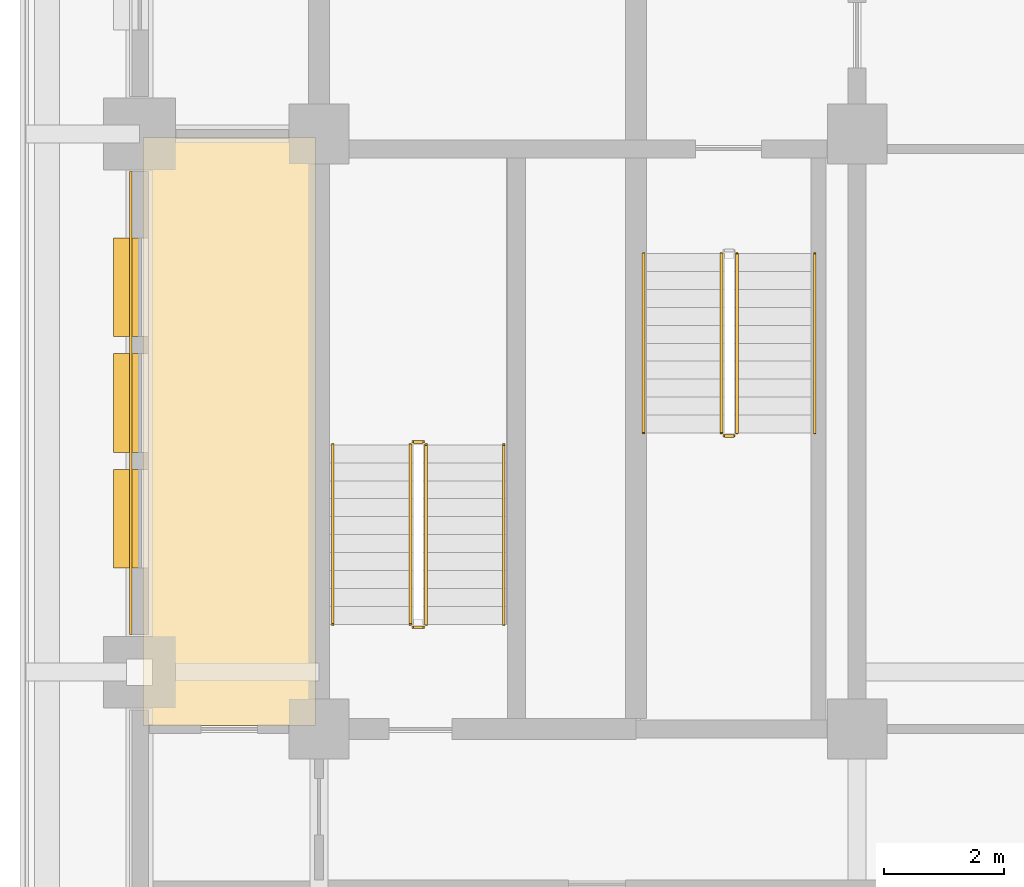
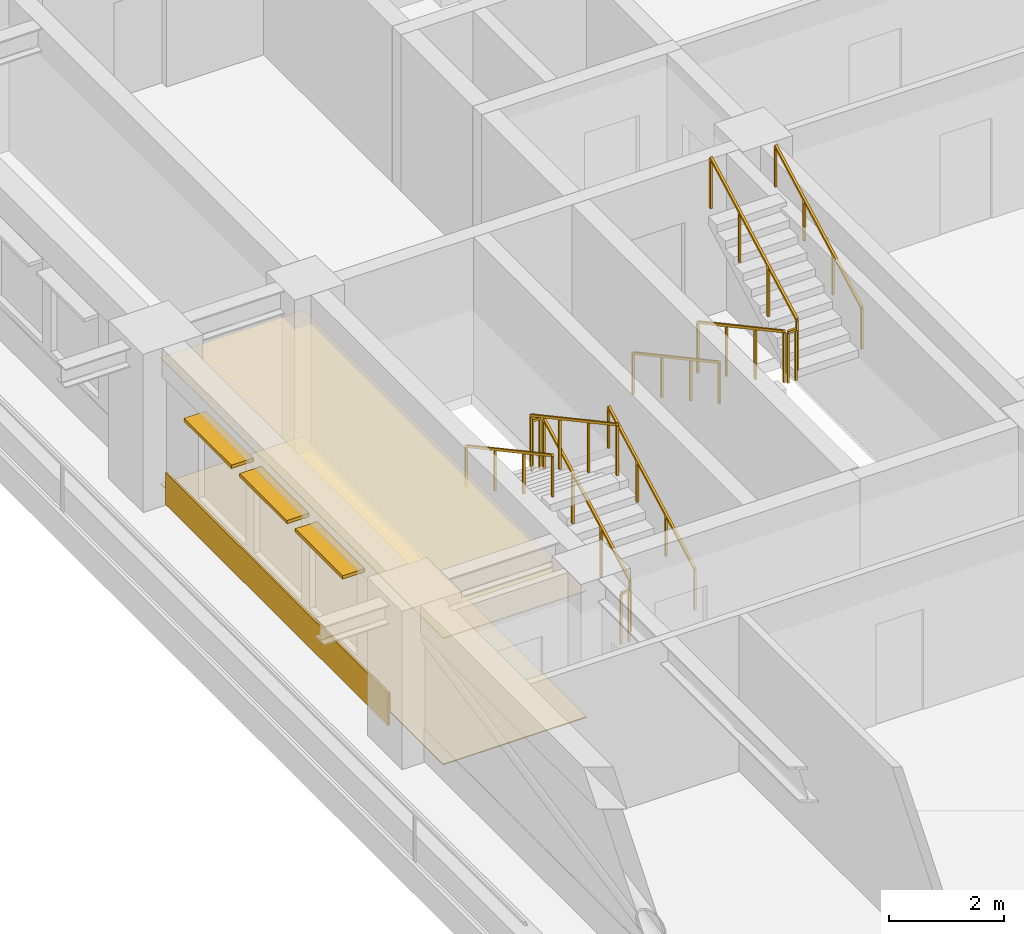
# One storey, part 8 of 13: 11 railings, 3 coverings, 3 shading devices.
"""IFC4 building model written with IfcOpenShell, lengths in metres."""

from ifc_helpers import new_model, si_unit, direction, frame, frame_2d, origin, origin_2d, place, context, subcontext, project, spatial, polyline, rectangle, outline, extrude, material, layer, layer_set, type_object, element, save


model = new_model("IFC4")

# Units and contexts
model_context = context("Model", 3, precision=1e-05, world=origin(), true_north=direction((0.0, 1.0)))
body_context = subcontext(model_context, "Body", "Model", "MODEL_VIEW")
ifc_project = project(units=[si_unit("LENGTHUNIT", "METRE"), si_unit("AREAUNIT", "SQUARE_METRE"), si_unit("VOLUMEUNIT", "CUBIC_METRE"), si_unit("PLANEANGLEUNIT", "RADIAN"), si_unit("MASSUNIT", "GRAM", prefix="KILO")], contexts=[model_context])

# Site, building, storey
site_placement = place(None, origin())
site = spatial("IfcSite", under=ifc_project, at=site_placement, CompositionType="ELEMENT")
building_placement = place(site_placement, origin())
building = spatial("IfcBuilding", under=site, at=building_placement, Name="Zulmaris Gate Convention Tower", CompositionType="ELEMENT")
storey_placement = place(building_placement, frame((0.0, 0.0, 91.35986328125)))
storey = spatial("IfcBuildingStorey", under=building, at=storey_placement, Name="L22", CompositionType="ELEMENT", Elevation=91.35986328125)

# Coverings
ifc_material_1 = material(Name="Precast concrete C40/50", Category="concrete")
ifc_layer_1 = layer(ifc_material_1, 0.0400390625, Name="Precast concrete C40/50")
ifc_layer_set_1 = layer_set([ifc_layer_1], Name="Precast concrete C40/50")
covering_type_1 = type_object("IfcCoveringType", Name="CLAD-SPANDREL-PRECAST", PredefinedType="CLADDING", material=ifc_layer_set_1)
covering_1_placement = place(storey_placement, frame((-23.14990234375, -0.6298828125, 0.0), z_axis=(0.0, 0.0, 1.0), x_axis=(0.0, -1.0, 0.0)))
element("IfcCovering", 1, at=covering_1_placement, inside=storey, type_object=covering_type_1, Name="CLD-L22-W-1_0", PredefinedType="CLADDING", context=body_context, shape_type="SweptSolid", body=[
    extrude(rectangle(XDim=7.740234375, YDim=0.0400390625, at=frame_2d((3.8701171875, 0.0))), origin(), (0.0, 0.0, 1.0), 0.679931640625),
])
ifc_material_2 = material(Name="Mineral Fibre Acoustic Ceiling Tile")
ifc_layer_2 = layer(ifc_material_2, 0.02001953125, Name="Mineral Fibre Acoustic Ceiling Tile")
ifc_layer_set_2 = layer_set([ifc_layer_2], Name="Mineral Fibre Acoustic Ceiling Tile")
covering_type_2 = type_object("IfcCoveringType", Name="CLG-ACOUSTIC-600", PredefinedType="CEILING", material=ifc_layer_set_2)
covering_2_placement = place(storey_placement, frame((0.0, 0.0, 2.679931640625)))
element("IfcCovering", 2, at=covering_2_placement, inside=storey, type_object=covering_type_2, Name="CLG-L22-R47", PredefinedType="CEILING", context=body_context, shape_type="SweptSolid", body=[
    extrude(outline(polyline([(-22.93994140625, -9.889892578125), (-20.06005859375, -9.889892578125), (-20.06005859375, -0.06005859375), (-22.93994140625, -0.06005859375), (-22.93994140625, -9.889892578125)])), origin(), (0.0, 0.0, 1.0), 0.02001953125),
])
ifc_material_3 = material(Name="Woven Acoustic Wool Carpet Tile")
ifc_layer_3 = layer(ifc_material_3, 0.02001953125, Name="Woven Acoustic Wool Carpet Tile")
ifc_layer_set_3 = layer_set([ifc_layer_3], Name="Woven Acoustic Wool Carpet Tile")
covering_type_3 = type_object("IfcCoveringType", Name="FLR-CARPET-12", PredefinedType="FLOORING", material=ifc_layer_set_3)
covering_3_placement = place(storey_placement, origin())
element("IfcCovering", 3, at=covering_3_placement, inside=storey, type_object=covering_type_3, Name="FLR-L22-R47", PredefinedType="FLOORING", context=body_context, shape_type="SweptSolid", body=[
    extrude(outline(polyline([(-22.93994140625, -9.889892578125), (-20.06005859375, -9.889892578125), (-20.06005859375, -0.06005859375), (-22.93994140625, -0.06005859375), (-22.93994140625, -9.889892578125)])), origin(), (0.0, 0.0, 1.0), 0.02001953125),
])

# Railings
ifc_material_4 = material(Name="Painted Galvanised Steel", Category="steel")
railing_type_1 = type_object("IfcRailingType", Name="RL-STG-1150", PredefinedType="GUARDRAIL", material=ifc_material_4)
railing_1_placement = place(storey_placement, frame((-13.27001953125, -2.0, 0.162353515625)))
element("IfcRailing", 4, at=railing_1_placement, inside=storey, type_object=railing_type_1, Name="L22 ST-1 stair guard 1", PredefinedType="GUARDRAIL", context=body_context, shape_type="SweptSolid", body=[
    extrude(rectangle(XDim=0.048095703125, YDim=0.048095703125, at=origin_2d()), frame((0.0, 0.0, 1.076171875), z_axis=(0.0, -0.8795616155, 0.475784998228), x_axis=(1.0, 0.0, 0.0)), (0.0, 0.0, 1.0), 3.410888671875),
    extrude(rectangle(XDim=0.0419921875, YDim=0.0419921875, at=origin_2d()), origin(), (0.0, 0.0, 1.0), 1.052001953125),
    extrude(rectangle(XDim=0.0419921875, YDim=0.0419921875, at=origin_2d()), frame((0.0, -1.0, 0.541015625)), (0.0, 0.0, 1.0), 1.052001953125),
    extrude(rectangle(XDim=0.0419921875, YDim=0.0419921875, at=origin_2d()), frame((0.0, -2.0, 1.081787109375)), (0.0, 0.0, 1.0), 1.052001953125),
    extrude(rectangle(XDim=0.0419921875, YDim=0.0419921875, at=origin_2d()), frame((0.0, -3.0, 1.622802734375)), (0.0, 0.0, 1.0), 1.052001953125),
])
railing_2_placement = place(storey_placement, frame((-13.219970703125, -5.050048828125, 1.78515625)))
element("IfcRailing", 5, at=railing_2_placement, inside=storey, type_object=railing_type_1, Name="L22 ST-1 stair guard 2", PredefinedType="GUARDRAIL", context=body_context, shape_type="SweptSolid", body=[
    extrude(rectangle(XDim=0.048095703125, YDim=0.048095703125, at=origin_2d()), frame((0.0, 0.0, 1.076171875), z_axis=(1.0, 0.0, 0.0), x_axis=(0.0, 1.0, 0.0)), (0.0, 0.0, 1.0), 0.159912109375),
    extrude(rectangle(XDim=0.0419921875, YDim=0.0419921875, at=origin_2d()), origin(), (0.0, 0.0, 1.0), 1.052001953125),
    extrude(rectangle(XDim=0.0419921875, YDim=0.0419921875, at=origin_2d()), frame((0.159912109375, 0.0, 0.0)), (0.0, 0.0, 1.0), 1.052001953125),
])
for number, where, name in (
    (6, (-13.010009765625, -5.0, 1.947265625), "L22 ST-1 stair guard 3"),
    (7, (-18.2099609375, -8.199951171875, 0.162353515625), "L22 ST-3 stair guard 1"),
):
    element("IfcRailing", number, at=place(storey_placement, frame(where)), inside=storey, type_object=railing_type_1, Name=name, PredefinedType="GUARDRAIL", context=body_context, shape_type="SweptSolid", body=[
        extrude(rectangle(XDim=0.048095703125, YDim=0.048095703125, at=origin_2d()), frame((0.0, 0.0, 1.076171875), z_axis=(0.0, 0.8795616155, 0.475784998228), x_axis=(-1.0, 0.0, 0.0)), (0.0, 0.0, 1.0), 3.410888671875),
        extrude(rectangle(XDim=0.0419921875, YDim=0.0419921875, at=origin_2d()), origin(), (0.0, 0.0, 1.0), 1.052001953125),
        extrude(rectangle(XDim=0.0419921875, YDim=0.0419921875, at=origin_2d()), frame((0.0, 1.0, 0.541015625)), (0.0, 0.0, 1.0), 1.052001953125),
        extrude(rectangle(XDim=0.0419921875, YDim=0.0419921875, at=origin_2d()), frame((0.0, 2.0, 1.081787109375)), (0.0, 0.0, 1.0), 1.052001953125),
        extrude(rectangle(XDim=0.0419921875, YDim=0.0419921875, at=origin_2d()), frame((0.0, 3.0, 1.622802734375)), (0.0, 0.0, 1.0), 1.052001953125),
    ])
railing_3_placement = place(storey_placement, frame((-18.260009765625, -5.14990234375, 1.78515625)))
element("IfcRailing", 8, at=railing_3_placement, inside=storey, type_object=railing_type_1, Name="L22 ST-3 stair guard 2", PredefinedType="GUARDRAIL", context=body_context, shape_type="SweptSolid", body=[
    extrude(rectangle(XDim=0.048095703125, YDim=0.048095703125, at=origin_2d()), frame((0.0, 0.0, 1.076171875), z_axis=(-1.0, 0.0, 0.0), x_axis=(0.0, -1.0, 0.0)), (0.0, 0.0, 1.0), 0.159912109375),
    extrude(rectangle(XDim=0.0419921875, YDim=0.0419921875, at=origin_2d()), origin(), (0.0, 0.0, 1.0), 1.052001953125),
    extrude(rectangle(XDim=0.0419921875, YDim=0.0419921875, at=origin_2d()), frame((-0.159912109375, 0.0, 0.0)), (0.0, 0.0, 1.0), 1.052001953125),
])
railing_4_placement = place(storey_placement, frame((-18.469970703125, -5.199951171875, 1.947265625)))
element("IfcRailing", 9, at=railing_4_placement, inside=storey, type_object=railing_type_1, Name="L22 ST-3 stair guard 3", PredefinedType="GUARDRAIL", context=body_context, shape_type="SweptSolid", body=[
    extrude(rectangle(XDim=0.048095703125, YDim=0.048095703125, at=origin_2d()), frame((0.0, 0.0, 1.076171875), z_axis=(0.0, -0.8795616155, 0.475784998228), x_axis=(1.0, 0.0, 0.0)), (0.0, 0.0, 1.0), 3.410888671875),
    extrude(rectangle(XDim=0.0419921875, YDim=0.0419921875, at=origin_2d()), origin(), (0.0, 0.0, 1.0), 1.052001953125),
    extrude(rectangle(XDim=0.0419921875, YDim=0.0419921875, at=origin_2d()), frame((0.0, -1.0, 0.541015625)), (0.0, 0.0, 1.0), 1.052001953125),
    extrude(rectangle(XDim=0.0419921875, YDim=0.0419921875, at=origin_2d()), frame((0.0, -2.0, 1.081787109375)), (0.0, 0.0, 1.0), 1.052001953125),
    extrude(rectangle(XDim=0.0419921875, YDim=0.0419921875, at=origin_2d()), frame((0.0, -3.0, 1.622802734375)), (0.0, 0.0, 1.0), 1.052001953125),
])
railing_5_placement = place(storey_placement, frame((-18.260009765625, -8.25, 0.0)))
element("IfcRailing", 10, at=railing_5_placement, inside=storey, type_object=railing_type_1, Name="L22 ST-3 stair guard 4", PredefinedType="GUARDRAIL", context=body_context, shape_type="SweptSolid", body=[
    extrude(rectangle(XDim=0.048095703125, YDim=0.048095703125, at=origin_2d()), frame((0.0, 0.0, 1.076171875), z_axis=(-1.0, 0.0, 0.0), x_axis=(0.0, -1.0, 0.0)), (0.0, 0.0, 1.0), 0.159912109375),
    extrude(rectangle(XDim=0.0419921875, YDim=0.0419921875, at=origin_2d()), origin(), (0.0, 0.0, 1.0), 1.052001953125),
    extrude(rectangle(XDim=0.0419921875, YDim=0.0419921875, at=origin_2d()), frame((-0.159912109375, 0.0, 0.0)), (0.0, 0.0, 1.0), 1.052001953125),
])
ifc_material_5 = material(Name="Brushed Stainless Steel", Category="steel")
railing_type_2 = type_object("IfcRailingType", Name="RL-STH-900", PredefinedType="HANDRAIL", material=ifc_material_5)
railing_6_placement = place(storey_placement, frame((-14.570068359375, -2.0, 0.162353515625)))
element("IfcRailing", 11, at=railing_6_placement, inside=storey, type_object=railing_type_2, Name="L22 ST-1 stair handrail 1", PredefinedType="HANDRAIL", context=body_context, shape_type="SweptSolid", body=[
    extrude(rectangle(XDim=0.048095703125, YDim=0.048095703125, at=origin_2d()), frame((0.0, 0.0, 0.8759765625), z_axis=(0.0, -0.8795616155, 0.475784998228), x_axis=(1.0, 0.0, 0.0)), (0.0, 0.0, 1.0), 3.410888671875),
    extrude(rectangle(XDim=0.0419921875, YDim=0.0419921875, at=origin_2d()), origin(), (0.0, 0.0, 1.0), 0.851806640625),
    extrude(rectangle(XDim=0.0419921875, YDim=0.0419921875, at=origin_2d()), frame((0.0, -1.0, 0.541015625)), (0.0, 0.0, 1.0), 0.851806640625),
    extrude(rectangle(XDim=0.0419921875, YDim=0.0419921875, at=origin_2d()), frame((0.0, -2.0, 1.081787109375)), (0.0, 0.0, 1.0), 0.851806640625),
    extrude(rectangle(XDim=0.0419921875, YDim=0.0419921875, at=origin_2d()), frame((0.0, -3.0, 1.622802734375)), (0.0, 0.0, 1.0), 0.851806640625),
])
for number, where, name in (
    (12, (-11.7099609375, -5.0, 1.947265625), "L22 ST-1 stair handrail 2"),
    (13, (-16.909912109375, -8.199951171875, 0.162353515625), "L22 ST-3 stair handrail 1"),
):
    element("IfcRailing", number, at=place(storey_placement, frame(where)), inside=storey, type_object=railing_type_2, Name=name, PredefinedType="HANDRAIL", context=body_context, shape_type="SweptSolid", body=[
        extrude(rectangle(XDim=0.048095703125, YDim=0.048095703125, at=origin_2d()), frame((0.0, 0.0, 0.8759765625), z_axis=(0.0, 0.8795616155, 0.475784998228), x_axis=(-1.0, 0.0, 0.0)), (0.0, 0.0, 1.0), 3.410888671875),
        extrude(rectangle(XDim=0.0419921875, YDim=0.0419921875, at=origin_2d()), origin(), (0.0, 0.0, 1.0), 0.851806640625),
        extrude(rectangle(XDim=0.0419921875, YDim=0.0419921875, at=origin_2d()), frame((0.0, 1.0, 0.541015625)), (0.0, 0.0, 1.0), 0.851806640625),
        extrude(rectangle(XDim=0.0419921875, YDim=0.0419921875, at=origin_2d()), frame((0.0, 2.0, 1.081787109375)), (0.0, 0.0, 1.0), 0.851806640625),
        extrude(rectangle(XDim=0.0419921875, YDim=0.0419921875, at=origin_2d()), frame((0.0, 3.0, 1.622802734375)), (0.0, 0.0, 1.0), 0.851806640625),
    ])
railing_7_placement = place(storey_placement, frame((-19.77001953125, -5.199951171875, 1.947265625)))
element("IfcRailing", 14, at=railing_7_placement, inside=storey, type_object=railing_type_2, Name="L22 ST-3 stair handrail 2", PredefinedType="HANDRAIL", context=body_context, shape_type="SweptSolid", body=[
    extrude(rectangle(XDim=0.048095703125, YDim=0.048095703125, at=origin_2d()), frame((0.0, 0.0, 0.8759765625), z_axis=(0.0, -0.8795616155, 0.475784998228), x_axis=(1.0, 0.0, 0.0)), (0.0, 0.0, 1.0), 3.410888671875),
    extrude(rectangle(XDim=0.0419921875, YDim=0.0419921875, at=origin_2d()), origin(), (0.0, 0.0, 1.0), 0.851806640625),
    extrude(rectangle(XDim=0.0419921875, YDim=0.0419921875, at=origin_2d()), frame((0.0, -1.0, 0.541015625)), (0.0, 0.0, 1.0), 0.851806640625),
    extrude(rectangle(XDim=0.0419921875, YDim=0.0419921875, at=origin_2d()), frame((0.0, -2.0, 1.081787109375)), (0.0, 0.0, 1.0), 0.851806640625),
    extrude(rectangle(XDim=0.0419921875, YDim=0.0419921875, at=origin_2d()), frame((0.0, -3.0, 1.622802734375)), (0.0, 0.0, 1.0), 0.851806640625),
])

# Shading devices
ifc_material_6 = material(Name="Glazed Ceramic Terracotta", Category="masonry")
ifc_layer_4 = layer(ifc_material_6, 0.070068359375, Name="Glazed Ceramic Terracotta")
ifc_layer_set_4 = layer_set([ifc_layer_4], Name="Glazed Ceramic Terracotta")
shading_device_type = type_object("IfcShadingDeviceType", Name="SHD-SUNSHADE-TC", PredefinedType="AWNING", material=ifc_layer_set_4)
for number, where, z_axis, x_axis, name in (
    (15, (-23.219970703125, -1.739990234375, 2.530029296875), (0.0, 0.0, 1.0), (0.0, -1.0, 0.0), "SHD-EW-L22-W-1_0-1"),
    (16, (-23.219970703125, -3.675048828125, 2.530029296875), (0.0, 0.0, 1.0), (0.0, -1.0, 0.0), "SHD-EW-L22-W-1_0-2"),
    (17, (-23.219970703125, -5.610107421875, 2.530029296875), (0.0, 0.0, 1.0), (0.0, -1.0, 0.0), "SHD-EW-L22-W-1_0-3"),
):
    element("IfcShadingDevice", number, at=place(storey_placement, frame(where, z_axis=z_axis, x_axis=x_axis)), inside=storey, type_object=shading_device_type, Name=name, PredefinedType="AWNING", context=body_context, shape_type="SweptSolid", body=[
        extrude(rectangle(XDim=1.64990234375, YDim=0.43994140625, at=frame_2d((0.824951171875, 0.0))), origin(), (0.0, 0.0, 1.0), 0.070068359375),
    ])

save(model, "model.ifc")
